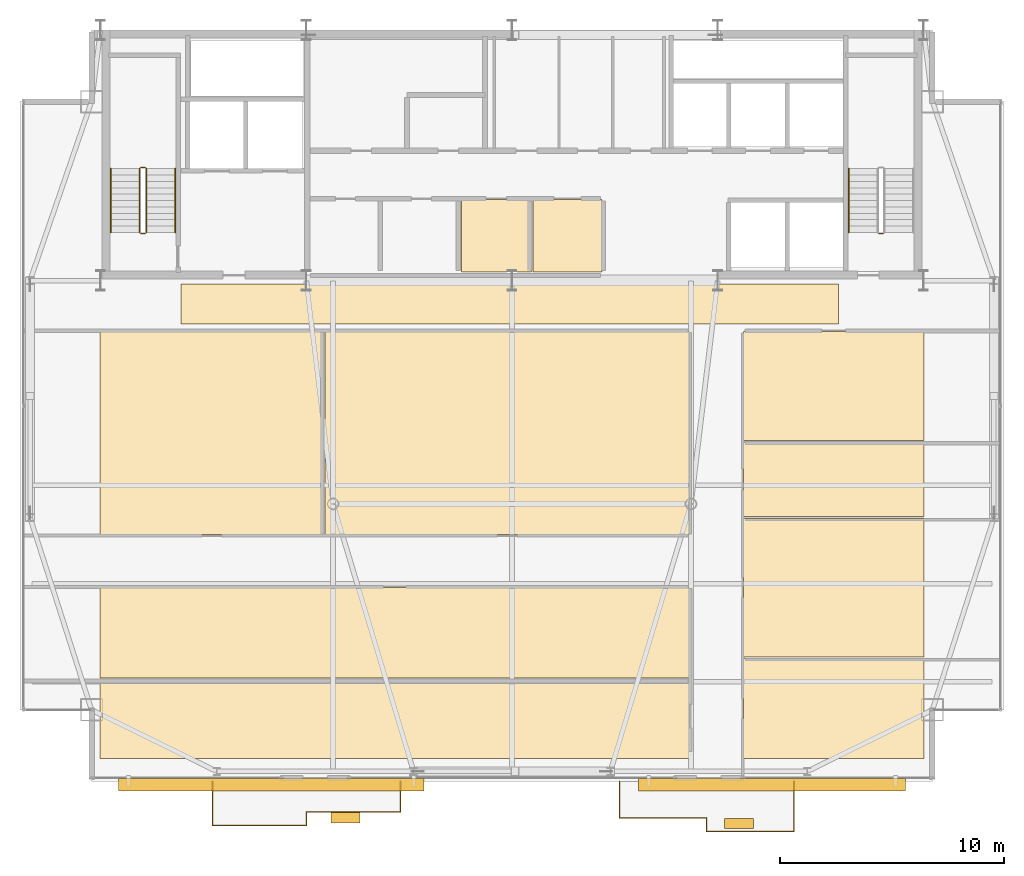
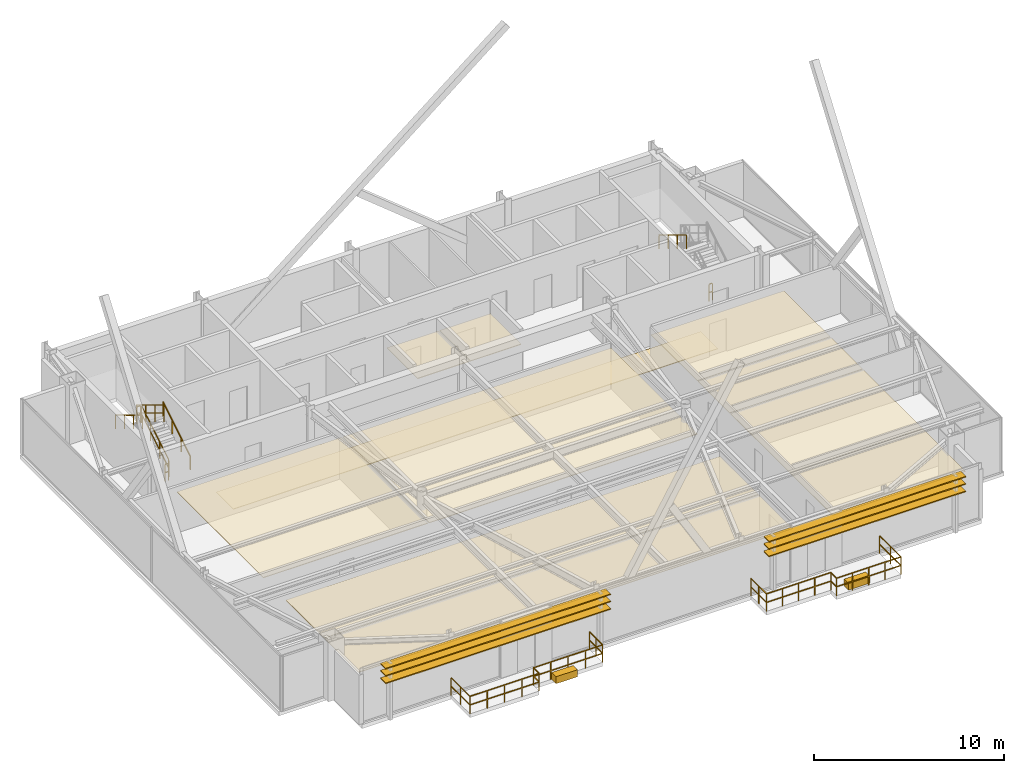
# One storey, part 24 of 25: 18 railings, 13 coverings, 6 shading devices.
"""IFC4 building model written with IfcOpenShell, lengths in metres."""

from ifc_helpers import new_model, si_unit, direction, frame, origin, origin_2d, place, context, subcontext, project, spatial, polyline, rectangle, outline, extrude, source, transform, mapped, material, layer, layer_set, type_object, type_shapes, element, save


model = new_model("IFC4")

# Units and contexts
model_context = context("Model", 3, precision=1e-05, world=origin(), true_north=direction((0.0, 1.0)))
body_context = subcontext(model_context, "Body", "Model", "MODEL_VIEW")
ifc_project = project(units=[si_unit("LENGTHUNIT", "METRE"), si_unit("AREAUNIT", "SQUARE_METRE"), si_unit("VOLUMEUNIT", "CUBIC_METRE"), si_unit("PLANEANGLEUNIT", "RADIAN"), si_unit("MASSUNIT", "GRAM", prefix="KILO")], contexts=[model_context])

# Site, building, storey
site_placement = place(None, origin())
site = spatial("IfcSite", under=ifc_project, at=site_placement, CompositionType="ELEMENT")
building_placement = place(site_placement, origin())
building = spatial("IfcBuilding", under=site, at=building_placement, Name="Varnel Quay Broadcast Tower", CompositionType="ELEMENT")
storey_placement = place(building_placement, frame((0.0, 0.0, 273.60009765625)))
storey = spatial("IfcBuildingStorey", under=building, at=storey_placement, Name="L68", CompositionType="ELEMENT", Elevation=273.60009765625)

# Coverings
ifc_material_1 = material(Name="Micro-Perforated Acoustic Ceiling Tile")
ifc_layer_1 = layer(ifc_material_1, 0.0400390625, Name="Micro-Perforated Acoustic Ceiling Tile")
ifc_layer_set_1 = layer_set([ifc_layer_1], Name="Micro-Perforated Acoustic Ceiling Tile")
covering_type_1 = type_object("IfcCoveringType", Name="Cov_AcousticCeiling", PredefinedType="CEILING", material=ifc_layer_set_1)
covering_1_placement = place(storey_placement, frame((0.0, 0.0, 2.579833984375)))
element("IfcCovering", 1, at=covering_1_placement, inside=storey, type_object=covering_type_1, Name="L68 Broadcast First-Aid & Quiet Room Acoustic Ceiling", PredefinedType="CEILING", context=body_context, shape_type="SweptSolid", body=[
    extrude(outline(polyline([(31.735107421875, 35.985107421875), (34.864990234375, 35.985107421875), (34.864990234375, 39.215087890625), (31.735107421875, 39.215087890625), (31.735107421875, 35.985107421875)])), origin(), (0.0, 0.0, 1.0), 0.0400390625),
])
covering_2_placement = place(storey_placement, frame((0.0, 0.0, 2.579833984375)))
element("IfcCovering", 2, at=covering_2_placement, inside=storey, type_object=covering_type_1, Name="L68 Zone Lighting Dimmer Room Acoustic Ceiling", PredefinedType="CEILING", context=body_context, shape_type="SweptSolid", body=[
    extrude(outline(polyline([(34.93505859375, 35.985107421875), (38.014892578125, 35.985107421875), (38.014892578125, 39.215087890625), (34.93505859375, 39.215087890625), (34.93505859375, 35.985107421875)])), origin(), (0.0, 0.0, 1.0), 0.0400390625),
])
covering_3_placement = place(storey_placement, frame((0.0, 0.0, 2.579833984375)))
element("IfcCovering", 3, at=covering_3_placement, inside=storey, type_object=covering_type_1, Name="L68 Screening Meeting Room 1 Acoustic Ceiling", PredefinedType="CEILING", context=body_context, shape_type="SweptSolid", body=[
    extrude(outline(polyline([(15.5849609375, 14.22509765625), (41.93505859375, 14.22509765625), (41.93505859375, 17.764892578125), (15.5849609375, 17.764892578125), (15.5849609375, 14.22509765625)])), origin(), (0.0, 0.0, 1.0), 0.0400390625),
])
covering_4_placement = place(storey_placement, frame((0.0, 0.0, 2.579833984375)))
element("IfcCovering", 4, at=covering_4_placement, inside=storey, type_object=covering_type_1, Name="L68 Producer Lounge 2 Acoustic Ceiling", PredefinedType="CEILING", context=body_context, shape_type="SweptSolid", body=[
    extrude(outline(polyline([(15.5849609375, 17.8349609375), (41.93505859375, 17.8349609375), (41.93505859375, 21.864990234375), (15.5849609375, 21.864990234375), (15.5849609375, 17.8349609375)])), origin(), (0.0, 0.0, 1.0), 0.0400390625),
])
covering_5_placement = place(storey_placement, frame((0.0, 0.0, 2.579833984375)))
element("IfcCovering", 5, at=covering_5_placement, inside=storey, type_object=covering_type_1, Name="L68 Tea Kitchen 3 Acoustic Ceiling", PredefinedType="CEILING", context=body_context, shape_type="SweptSolid", body=[
    extrude(outline(polyline([(15.5849609375, 24.235107421875), (25.574951171875, 24.235107421875), (25.574951171875, 33.31494140625), (15.5849609375, 33.31494140625), (15.5849609375, 24.235107421875)])), origin(), (0.0, 0.0, 1.0), 0.0400390625),
])
covering_6_placement = place(storey_placement, frame((0.0, 0.0, 2.579833984375)))
element("IfcCovering", 6, at=covering_6_placement, inside=storey, type_object=covering_type_1, Name="L68 Media Tape Archive Store 4 Acoustic Ceiling", PredefinedType="CEILING", context=body_context, shape_type="SweptSolid", body=[
    extrude(outline(polyline([(25.64501953125, 24.235107421875), (41.93505859375, 24.235107421875), (41.93505859375, 33.31494140625), (25.64501953125, 33.31494140625), (25.64501953125, 24.235107421875)])), origin(), (0.0, 0.0, 1.0), 0.0400390625),
])
covering_7_placement = place(storey_placement, frame((0.0, 0.0, 2.579833984375)))
element("IfcCovering", 7, at=covering_7_placement, inside=storey, type_object=covering_type_1, Name="L68 Lens & Rigging Store 5 Acoustic Ceiling", PredefinedType="CEILING", context=body_context, shape_type="SweptSolid", body=[
    extrude(outline(polyline([(44.35498046875, 14.22509765625), (52.4150390625, 14.22509765625), (52.4150390625, 18.705078125), (44.35498046875, 18.705078125), (44.35498046875, 14.22509765625)])), origin(), (0.0, 0.0, 1.0), 0.0400390625),
])
covering_8_placement = place(storey_placement, frame((0.0, 0.0, 2.579833984375)))
element("IfcCovering", 8, at=covering_8_placement, inside=storey, type_object=covering_type_1, Name="L68 Ingest Vault Store 6 Acoustic Ceiling", PredefinedType="CEILING", context=body_context, shape_type="SweptSolid", body=[
    extrude(outline(polyline([(44.35498046875, 18.77490234375), (52.4150390625, 18.77490234375), (52.4150390625, 24.97509765625), (44.35498046875, 24.97509765625), (44.35498046875, 18.77490234375)])), origin(), (0.0, 0.0, 1.0), 0.0400390625),
])
covering_9_placement = place(storey_placement, frame((0.0, 0.0, 2.579833984375)))
element("IfcCovering", 9, at=covering_9_placement, inside=storey, type_object=covering_type_1, Name="L68 Color Timing Suite 7 Acoustic Ceiling", PredefinedType="CEILING", context=body_context, shape_type="SweptSolid", body=[
    extrude(outline(polyline([(44.35498046875, 25.044921875), (52.4150390625, 25.044921875), (52.4150390625, 28.385009765625), (44.35498046875, 28.385009765625), (44.35498046875, 25.044921875)])), origin(), (0.0, 0.0, 1.0), 0.0400390625),
])
covering_10_placement = place(storey_placement, frame((0.0, 0.0, 2.579833984375)))
element("IfcCovering", 10, at=covering_10_placement, inside=storey, type_object=covering_type_1, Name="L68 Screening Meeting Room 8 Acoustic Ceiling", PredefinedType="CEILING", context=body_context, shape_type="SweptSolid", body=[
    extrude(outline(polyline([(44.35498046875, 28.455078125), (52.4150390625, 28.455078125), (52.4150390625, 33.31494140625), (44.35498046875, 33.31494140625), (44.35498046875, 28.455078125)])), origin(), (0.0, 0.0, 1.0), 0.0400390625),
])
ifc_material_2 = material(Name="Polished Terrazzo & Broadcast Raised Flooring")
ifc_layer_2 = layer(ifc_material_2, 0.0400390625, Name="Polished Terrazzo & Broadcast Raised Flooring")
ifc_layer_set_2 = layer_set([ifc_layer_2], Name="Polished Terrazzo & Broadcast Raised Flooring")
covering_type_2 = type_object("IfcCoveringType", Name="Cov_TerrazzoFloor", PredefinedType="FLOORING", material=ifc_layer_set_2)
covering_11_placement = place(storey_placement, origin())
element("IfcCovering", 11, at=covering_11_placement, inside=storey, type_object=covering_type_2, Name="L68 Corridor Terrazzo Flooring", PredefinedType="FLOORING", context=body_context, shape_type="SweptSolid", body=[
    extrude(outline(polyline([(19.199951171875, 33.64990234375), (48.60009765625, 33.64990234375), (48.60009765625, 35.449951171875), (19.199951171875, 35.449951171875), (19.199951171875, 33.64990234375)])), origin(), (0.0, 0.0, 1.0), 0.039794921875),
])

# Railings
ifc_material_3 = material(Name="Anodised Bronze Aluminium 6063-T6", Category="aluminium")
railing_type_1 = type_object("IfcRailingType", Name="Rail_Balustrade1150", PredefinedType="BALUSTRADE", material=ifc_material_3)
railing_1_placement = place(storey_placement, frame((20.610107421875, 11.22900390625, 0.0)))
element("IfcRailing", 12, at=railing_1_placement, inside=storey, type_object=railing_type_1, Name="L68 Terrace 1 Guard 1", PredefinedType="BALUSTRADE", context=body_context, shape_type="SweptSolid", body=[
    extrude(rectangle(XDim=0.048095703125, YDim=0.048095703125, at=origin_2d()), frame((0.0, 0.0, 1.1259765625), z_axis=(1.0, 0.0, 0.0), x_axis=(0.0, 1.0, 0.0)), (0.0, 0.0, 1.0), 4.199951171875),
    extrude(rectangle(XDim=0.048095703125, YDim=0.048095703125, at=origin_2d()), frame((0.0, 0.0, 0.574951171875), z_axis=(1.0, 0.0, 0.0), x_axis=(0.0, 1.0, 0.0)), (0.0, 0.0, 1.0), 4.199951171875),
    extrude(rectangle(XDim=0.0419921875, YDim=0.0419921875, at=origin_2d()), origin(), (0.0, 0.0, 1.0), 1.101806640625),
    extrude(rectangle(XDim=0.0419921875, YDim=0.0419921875, at=origin_2d()), frame((1.050048828125, 0.0, 0.0)), (0.0, 0.0, 1.0), 1.101806640625),
    extrude(rectangle(XDim=0.0419921875, YDim=0.0419921875, at=origin_2d()), frame((2.10009765625, 0.0, 0.0)), (0.0, 0.0, 1.0), 1.101806640625),
    extrude(rectangle(XDim=0.0419921875, YDim=0.0419921875, at=origin_2d()), frame((3.14990234375, 0.0, 0.0)), (0.0, 0.0, 1.0), 1.101806640625),
    extrude(rectangle(XDim=0.0419921875, YDim=0.0419921875, at=origin_2d()), frame((4.199951171875, 0.0, 0.0)), (0.0, 0.0, 1.0), 1.101806640625),
])
railing_2_placement = place(storey_placement, frame((24.81005859375, 11.22900390625, 0.0)))
element("IfcRailing", 13, at=railing_2_placement, inside=storey, type_object=railing_type_1, Name="L68 Terrace 1 Guard 2", PredefinedType="BALUSTRADE", context=body_context, shape_type="SweptSolid", body=[
    extrude(rectangle(XDim=0.048095703125, YDim=0.048095703125, at=origin_2d()), frame((0.0, 0.0, 1.1259765625), z_axis=(0.0, 1.0, 0.0), x_axis=(-1.0, 0.0, 0.0)), (0.0, 0.0, 1.0), 0.60009765625),
    extrude(rectangle(XDim=0.048095703125, YDim=0.048095703125, at=origin_2d()), frame((0.0, 0.0, 0.574951171875), z_axis=(0.0, 1.0, 0.0), x_axis=(-1.0, 0.0, 0.0)), (0.0, 0.0, 1.0), 0.60009765625),
    extrude(rectangle(XDim=0.0419921875, YDim=0.0419921875, at=origin_2d()), origin(), (0.0, 0.0, 1.0), 1.101806640625),
    extrude(rectangle(XDim=0.0419921875, YDim=0.0419921875, at=origin_2d()), frame((0.0, 0.60009765625, 0.0)), (0.0, 0.0, 1.0), 1.101806640625),
])
railing_3_placement = place(storey_placement, frame((24.81005859375, 11.8291015625, 0.0)))
element("IfcRailing", 14, at=railing_3_placement, inside=storey, type_object=railing_type_1, Name="L68 Terrace 1 Guard 3", PredefinedType="BALUSTRADE", context=body_context, shape_type="SweptSolid", body=[
    extrude(rectangle(XDim=0.048095703125, YDim=0.048095703125, at=origin_2d()), frame((0.0, 0.0, 1.1259765625), z_axis=(1.0, 0.0, 0.0), x_axis=(0.0, 1.0, 0.0)), (0.0, 0.0, 1.0), 4.199951171875),
    extrude(rectangle(XDim=0.048095703125, YDim=0.048095703125, at=origin_2d()), frame((0.0, 0.0, 0.574951171875), z_axis=(1.0, 0.0, 0.0), x_axis=(0.0, 1.0, 0.0)), (0.0, 0.0, 1.0), 4.199951171875),
    extrude(rectangle(XDim=0.0419921875, YDim=0.0419921875, at=origin_2d()), origin(), (0.0, 0.0, 1.0), 1.101806640625),
    extrude(rectangle(XDim=0.0419921875, YDim=0.0419921875, at=origin_2d()), frame((1.050048828125, 0.0, 0.0)), (0.0, 0.0, 1.0), 1.101806640625),
    extrude(rectangle(XDim=0.0419921875, YDim=0.0419921875, at=origin_2d()), frame((2.10009765625, 0.0, 0.0)), (0.0, 0.0, 1.0), 1.101806640625),
    extrude(rectangle(XDim=0.0419921875, YDim=0.0419921875, at=origin_2d()), frame((3.14990234375, 0.0, 0.0)), (0.0, 0.0, 1.0), 1.101806640625),
    extrude(rectangle(XDim=0.0419921875, YDim=0.0419921875, at=origin_2d()), frame((4.199951171875, 0.0, 0.0)), (0.0, 0.0, 1.0), 1.101806640625),
])
railing_4_placement = place(storey_placement, frame((29.010009765625, 11.8291015625, 0.0)))
element("IfcRailing", 15, at=railing_4_placement, inside=storey, type_object=railing_type_1, Name="L68 Terrace 1 Guard 4", PredefinedType="BALUSTRADE", context=body_context, shape_type="SweptSolid", body=[
    extrude(rectangle(XDim=0.048095703125, YDim=0.048095703125, at=origin_2d()), frame((0.0, 0.0, 1.1259765625), z_axis=(0.0, 1.0, 0.0), x_axis=(-1.0, 0.0, 0.0)), (0.0, 0.0, 1.0), 1.370849609375),
    extrude(rectangle(XDim=0.048095703125, YDim=0.048095703125, at=origin_2d()), frame((0.0, 0.0, 0.574951171875), z_axis=(0.0, 1.0, 0.0), x_axis=(-1.0, 0.0, 0.0)), (0.0, 0.0, 1.0), 1.370849609375),
    extrude(rectangle(XDim=0.0419921875, YDim=0.0419921875, at=origin_2d()), origin(), (0.0, 0.0, 1.0), 1.101806640625),
    extrude(rectangle(XDim=0.0419921875, YDim=0.0419921875, at=origin_2d()), frame((0.0, 0.685546875, 0.0)), (0.0, 0.0, 1.0), 1.101806640625),
    extrude(rectangle(XDim=0.0419921875, YDim=0.0419921875, at=origin_2d()), frame((0.0, 1.370849609375, 0.0)), (0.0, 0.0, 1.0), 1.101806640625),
])
railing_5_placement = place(storey_placement, frame((20.610107421875, 13.199951171875, 0.0)))
element("IfcRailing", 16, at=railing_5_placement, inside=storey, type_object=railing_type_1, Name="L68 Terrace 1 Guard 6", PredefinedType="BALUSTRADE", context=body_context, shape_type="SweptSolid", body=[
    extrude(rectangle(XDim=0.048095703125, YDim=0.048095703125, at=origin_2d()), frame((0.0, 0.0, 1.1259765625), z_axis=(0.0, -1.0, 0.0), x_axis=(1.0, 0.0, 0.0)), (0.0, 0.0, 1.0), 1.970947265625),
    extrude(rectangle(XDim=0.048095703125, YDim=0.048095703125, at=origin_2d()), frame((0.0, 0.0, 0.574951171875), z_axis=(0.0, -1.0, 0.0), x_axis=(1.0, 0.0, 0.0)), (0.0, 0.0, 1.0), 1.970947265625),
    extrude(rectangle(XDim=0.0419921875, YDim=0.0419921875, at=origin_2d()), origin(), (0.0, 0.0, 1.0), 1.101806640625),
    extrude(rectangle(XDim=0.0419921875, YDim=0.0419921875, at=origin_2d()), frame((0.0, -0.9853515625, 0.0)), (0.0, 0.0, 1.0), 1.101806640625),
    extrude(rectangle(XDim=0.0419921875, YDim=0.0419921875, at=origin_2d()), frame((0.0, -1.970947265625, 0.0)), (0.0, 0.0, 1.0), 1.101806640625),
])
railing_6_placement = place(storey_placement, frame((38.800048828125, 11.571044921875, 0.0)))
element("IfcRailing", 17, at=railing_6_placement, inside=storey, type_object=railing_type_1, Name="L68 Terrace 2 Guard 1", PredefinedType="BALUSTRADE", context=body_context, shape_type="SweptSolid", body=[
    extrude(rectangle(XDim=0.048095703125, YDim=0.048095703125, at=origin_2d()), frame((0.0, 0.0, 1.1259765625), z_axis=(1.0, 0.0, 0.0), x_axis=(0.0, 1.0, 0.0)), (0.0, 0.0, 1.0), 3.905029296875),
    extrude(rectangle(XDim=0.048095703125, YDim=0.048095703125, at=origin_2d()), frame((0.0, 0.0, 0.574951171875), z_axis=(1.0, 0.0, 0.0), x_axis=(0.0, 1.0, 0.0)), (0.0, 0.0, 1.0), 3.905029296875),
    extrude(rectangle(XDim=0.0419921875, YDim=0.0419921875, at=origin_2d()), origin(), (0.0, 0.0, 1.0), 1.101806640625),
    extrude(rectangle(XDim=0.0419921875, YDim=0.0419921875, at=origin_2d()), frame((0.976318359375, 0.0, 0.0)), (0.0, 0.0, 1.0), 1.101806640625),
    extrude(rectangle(XDim=0.0419921875, YDim=0.0419921875, at=origin_2d()), frame((1.95263671875, 0.0, 0.0)), (0.0, 0.0, 1.0), 1.101806640625),
    extrude(rectangle(XDim=0.0419921875, YDim=0.0419921875, at=origin_2d()), frame((2.9287109375, 0.0, 0.0)), (0.0, 0.0, 1.0), 1.101806640625),
    extrude(rectangle(XDim=0.0419921875, YDim=0.0419921875, at=origin_2d()), frame((3.905029296875, 0.0, 0.0)), (0.0, 0.0, 1.0), 1.101806640625),
])
railing_7_placement = place(storey_placement, frame((42.705078125, 11.571044921875, 0.0)))
element("IfcRailing", 18, at=railing_7_placement, inside=storey, type_object=railing_type_1, Name="L68 Terrace 2 Guard 2", PredefinedType="BALUSTRADE", context=body_context, shape_type="SweptSolid", body=[
    extrude(rectangle(XDim=0.048095703125, YDim=0.048095703125, at=origin_2d()), frame((0.0, 0.0, 1.1259765625), z_axis=(0.0, -1.0, 0.0), x_axis=(1.0, 0.0, 0.0)), (0.0, 0.0, 1.0), 0.60009765625),
    extrude(rectangle(XDim=0.048095703125, YDim=0.048095703125, at=origin_2d()), frame((0.0, 0.0, 0.574951171875), z_axis=(0.0, -1.0, 0.0), x_axis=(1.0, 0.0, 0.0)), (0.0, 0.0, 1.0), 0.60009765625),
    extrude(rectangle(XDim=0.0419921875, YDim=0.0419921875, at=origin_2d()), origin(), (0.0, 0.0, 1.0), 1.101806640625),
    extrude(rectangle(XDim=0.0419921875, YDim=0.0419921875, at=origin_2d()), frame((0.0, -0.60009765625, 0.0)), (0.0, 0.0, 1.0), 1.101806640625),
])
railing_8_placement = place(storey_placement, frame((42.705078125, 10.970947265625, 0.0)))
element("IfcRailing", 19, at=railing_8_placement, inside=storey, type_object=railing_type_1, Name="L68 Terrace 2 Guard 3", PredefinedType="BALUSTRADE", context=body_context, shape_type="SweptSolid", body=[
    extrude(rectangle(XDim=0.048095703125, YDim=0.048095703125, at=origin_2d()), frame((0.0, 0.0, 1.1259765625), z_axis=(1.0, 0.0, 0.0), x_axis=(0.0, 1.0, 0.0)), (0.0, 0.0, 1.0), 3.905029296875),
    extrude(rectangle(XDim=0.048095703125, YDim=0.048095703125, at=origin_2d()), frame((0.0, 0.0, 0.574951171875), z_axis=(1.0, 0.0, 0.0), x_axis=(0.0, 1.0, 0.0)), (0.0, 0.0, 1.0), 3.905029296875),
    extrude(rectangle(XDim=0.0419921875, YDim=0.0419921875, at=origin_2d()), origin(), (0.0, 0.0, 1.0), 1.101806640625),
    extrude(rectangle(XDim=0.0419921875, YDim=0.0419921875, at=origin_2d()), frame((0.976318359375, 0.0, 0.0)), (0.0, 0.0, 1.0), 1.101806640625),
    extrude(rectangle(XDim=0.0419921875, YDim=0.0419921875, at=origin_2d()), frame((1.95263671875, 0.0, 0.0)), (0.0, 0.0, 1.0), 1.101806640625),
    extrude(rectangle(XDim=0.0419921875, YDim=0.0419921875, at=origin_2d()), frame((2.9287109375, 0.0, 0.0)), (0.0, 0.0, 1.0), 1.101806640625),
    extrude(rectangle(XDim=0.0419921875, YDim=0.0419921875, at=origin_2d()), frame((3.905029296875, 0.0, 0.0)), (0.0, 0.0, 1.0), 1.101806640625),
])
railing_9_placement = place(storey_placement, frame((46.610107421875, 10.970947265625, 0.0)))
element("IfcRailing", 20, at=railing_9_placement, inside=storey, type_object=railing_type_1, Name="L68 Terrace 2 Guard 4", PredefinedType="BALUSTRADE", context=body_context, shape_type="SweptSolid", body=[
    extrude(rectangle(XDim=0.048095703125, YDim=0.048095703125, at=origin_2d()), frame((0.0, 0.0, 1.1259765625), z_axis=(0.0, 1.0, 0.0), x_axis=(-1.0, 0.0, 0.0)), (0.0, 0.0, 1.0), 2.22900390625),
    extrude(rectangle(XDim=0.048095703125, YDim=0.048095703125, at=origin_2d()), frame((0.0, 0.0, 0.574951171875), z_axis=(0.0, 1.0, 0.0), x_axis=(-1.0, 0.0, 0.0)), (0.0, 0.0, 1.0), 2.22900390625),
    extrude(rectangle(XDim=0.0419921875, YDim=0.0419921875, at=origin_2d()), origin(), (0.0, 0.0, 1.0), 1.101806640625),
    extrude(rectangle(XDim=0.0419921875, YDim=0.0419921875, at=origin_2d()), frame((0.0, 1.114501953125, 0.0)), (0.0, 0.0, 1.0), 1.101806640625),
    extrude(rectangle(XDim=0.0419921875, YDim=0.0419921875, at=origin_2d()), frame((0.0, 2.22900390625, 0.0)), (0.0, 0.0, 1.0), 1.101806640625),
])
railing_10_placement = place(storey_placement, frame((38.800048828125, 13.199951171875, 0.0)))
element("IfcRailing", 21, at=railing_10_placement, inside=storey, type_object=railing_type_1, Name="L68 Terrace 2 Guard 6", PredefinedType="BALUSTRADE", context=body_context, shape_type="SweptSolid", body=[
    extrude(rectangle(XDim=0.048095703125, YDim=0.048095703125, at=origin_2d()), frame((0.0, 0.0, 1.1259765625), z_axis=(0.0, -1.0, 0.0), x_axis=(1.0, 0.0, 0.0)), (0.0, 0.0, 1.0), 1.62890625),
    extrude(rectangle(XDim=0.048095703125, YDim=0.048095703125, at=origin_2d()), frame((0.0, 0.0, 0.574951171875), z_axis=(0.0, -1.0, 0.0), x_axis=(1.0, 0.0, 0.0)), (0.0, 0.0, 1.0), 1.62890625),
    extrude(rectangle(XDim=0.0419921875, YDim=0.0419921875, at=origin_2d()), origin(), (0.0, 0.0, 1.0), 1.101806640625),
    extrude(rectangle(XDim=0.0419921875, YDim=0.0419921875, at=origin_2d()), frame((0.0, -0.814453125, 0.0)), (0.0, 0.0, 1.0), 1.101806640625),
    extrude(rectangle(XDim=0.0419921875, YDim=0.0419921875, at=origin_2d()), frame((0.0, -1.62890625, 0.0)), (0.0, 0.0, 1.0), 1.101806640625),
])
ifc_material_4 = material(Name="Painted Steel Guard and Handrail CSA G40.21 350W", Category="steel")
railing_type_2 = type_object("IfcRailingType", Name="Rail_StairGuard1100", PredefinedType="GUARDRAIL", material=ifc_material_4)
railing_11_placement = place(storey_placement, frame((17.64990234375, 37.75, 0.172607421875)))
element("IfcRailing", 22, at=railing_11_placement, inside=storey, type_object=railing_type_2, Name="L68 ST-01 stair guard 1", PredefinedType="GUARDRAIL", context=body_context, shape_type="SweptSolid", body=[
    extrude(rectangle(XDim=0.048095703125, YDim=0.048095703125, at=origin_2d()), frame((0.0, 0.0, 1.076171875), z_axis=(0.0, 0.855202751398, 0.518293598264), x_axis=(-1.0, 0.0, 0.0)), (0.0, 0.0, 1.0), 3.332763671875),
    extrude(rectangle(XDim=0.048095703125, YDim=0.048095703125, at=origin_2d()), frame((0.0, 0.0, 0.550048828125), z_axis=(0.0, 0.855202751398, 0.518293598264), x_axis=(-1.0, 0.0, 0.0)), (0.0, 0.0, 1.0), 3.332763671875),
    extrude(rectangle(XDim=0.0419921875, YDim=0.0419921875, at=origin_2d()), origin(), (0.0, 0.0, 1.0), 1.052001953125),
    extrude(rectangle(XDim=0.0419921875, YDim=0.0419921875, at=origin_2d()), frame((0.0, 0.949951171875, 0.57568359375)), (0.0, 0.0, 1.0), 1.052001953125),
    extrude(rectangle(XDim=0.0419921875, YDim=0.0419921875, at=origin_2d()), frame((0.0, 1.900146484375, 1.151611328125)), (0.0, 0.0, 1.0), 1.052001953125),
    extrude(rectangle(XDim=0.0419921875, YDim=0.0419921875, at=origin_2d()), frame((0.0, 2.85009765625, 1.727294921875)), (0.0, 0.0, 1.0), 1.052001953125),
])
railing_12_placement = place(storey_placement, frame((17.60009765625, 40.64990234375, 1.89990234375)))
element("IfcRailing", 23, at=railing_12_placement, inside=storey, type_object=railing_type_2, Name="L68 ST-01 stair guard 2", PredefinedType="GUARDRAIL", context=body_context, shape_type="SweptSolid", body=[
    extrude(rectangle(XDim=0.048095703125, YDim=0.048095703125, at=origin_2d()), frame((0.0, 0.0, 1.076171875), z_axis=(-1.0, 0.0, 0.0), x_axis=(0.0, -1.0, 0.0)), (0.0, 0.0, 1.0), 0.2001953125),
    extrude(rectangle(XDim=0.048095703125, YDim=0.048095703125, at=origin_2d()), frame((0.0, 0.0, 0.550048828125), z_axis=(-1.0, 0.0, 0.0), x_axis=(0.0, -1.0, 0.0)), (0.0, 0.0, 1.0), 0.2001953125),
    extrude(rectangle(XDim=0.0419921875, YDim=0.0419921875, at=origin_2d()), origin(), (0.0, 0.0, 1.0), 1.052001953125),
    extrude(rectangle(XDim=0.0419921875, YDim=0.0419921875, at=origin_2d()), frame((-0.2001953125, 0.0, 0.0)), (0.0, 0.0, 1.0), 1.052001953125),
])
railing_13_placement = place(storey_placement, frame((17.35009765625, 40.60009765625, 2.072509765625)))
element("IfcRailing", 24, at=railing_13_placement, inside=storey, type_object=railing_type_2, Name="L68 ST-01 stair guard 3", PredefinedType="GUARDRAIL", context=body_context, shape_type="SweptSolid", body=[
    extrude(rectangle(XDim=0.048095703125, YDim=0.048095703125, at=origin_2d()), frame((0.0, 0.0, 1.076171875), z_axis=(0.0, -0.855202751398, 0.518293598264), x_axis=(1.0, 0.0, 0.0)), (0.0, 0.0, 1.0), 3.332763671875),
    extrude(rectangle(XDim=0.048095703125, YDim=0.048095703125, at=origin_2d()), frame((0.0, 0.0, 0.550048828125), z_axis=(0.0, -0.855202751398, 0.518293598264), x_axis=(1.0, 0.0, 0.0)), (0.0, 0.0, 1.0), 3.332763671875),
    extrude(rectangle(XDim=0.0419921875, YDim=0.0419921875, at=origin_2d()), origin(), (0.0, 0.0, 1.0), 1.052001953125),
    extrude(rectangle(XDim=0.0419921875, YDim=0.0419921875, at=origin_2d()), frame((0.0, -0.949951171875, 0.57568359375)), (0.0, 0.0, 1.0), 1.052001953125),
    extrude(rectangle(XDim=0.0419921875, YDim=0.0419921875, at=origin_2d()), frame((0.0, -1.900146484375, 1.151611328125)), (0.0, 0.0, 1.0), 1.052001953125),
    extrude(rectangle(XDim=0.0419921875, YDim=0.0419921875, at=origin_2d()), frame((0.0, -2.85009765625, 1.727294921875)), (0.0, 0.0, 1.0), 1.052001953125),
])
for number, where, name in (
    (25, (17.60009765625, 37.699951171875, 0.0), "L68 ST-01 stair guard 4"),
    (26, (50.60009765625, 37.699951171875, 0.0), "L68 ST-02 stair guard 4"),
):
    element("IfcRailing", number, at=place(storey_placement, frame(where)), inside=storey, type_object=railing_type_2, Name=name, PredefinedType="GUARDRAIL", context=body_context, shape_type="SweptSolid", body=[
        extrude(rectangle(XDim=0.048095703125, YDim=0.048095703125, at=origin_2d()), frame((0.0, 0.0, 1.076171875), z_axis=(-1.0, 0.0, 0.0), x_axis=(0.0, -1.0, 0.0)), (0.0, 0.0, 1.0), 0.2001953125),
        extrude(rectangle(XDim=0.048095703125, YDim=0.048095703125, at=origin_2d()), frame((0.0, 0.0, 0.550048828125), z_axis=(-1.0, 0.0, 0.0), x_axis=(0.0, -1.0, 0.0)), (0.0, 0.0, 1.0), 0.2001953125),
        extrude(rectangle(XDim=0.0419921875, YDim=0.0419921875, at=origin_2d()), origin(), (0.0, 0.0, 1.0), 1.052001953125),
        extrude(rectangle(XDim=0.0419921875, YDim=0.0419921875, at=origin_2d()), frame((-0.2001953125, 0.0, 0.0)), (0.0, 0.0, 1.0), 1.052001953125),
    ])
railing_type_3 = type_object("IfcRailingType", Name="Rail_StairHandrail900", PredefinedType="HANDRAIL", material=ifc_material_4)
railing_14_placement = place(storey_placement, frame((18.949951171875, 37.75, 0.172607421875)))
element("IfcRailing", 27, at=railing_14_placement, inside=storey, type_object=railing_type_3, Name="L68 ST-01 stair handrail 1", PredefinedType="HANDRAIL", context=body_context, shape_type="SweptSolid", body=[
    extrude(rectangle(XDim=0.048095703125, YDim=0.048095703125, at=origin_2d()), frame((0.0, 0.0, 0.8759765625), z_axis=(0.0, 0.855202751398, 0.518293598264), x_axis=(-1.0, 0.0, 0.0)), (0.0, 0.0, 1.0), 3.332763671875),
    extrude(rectangle(XDim=0.0419921875, YDim=0.0419921875, at=origin_2d()), origin(), (0.0, 0.0, 1.0), 0.851806640625),
    extrude(rectangle(XDim=0.0419921875, YDim=0.0419921875, at=origin_2d()), frame((0.0, 0.949951171875, 0.57568359375)), (0.0, 0.0, 1.0), 0.851806640625),
    extrude(rectangle(XDim=0.0419921875, YDim=0.0419921875, at=origin_2d()), frame((0.0, 1.900146484375, 1.151611328125)), (0.0, 0.0, 1.0), 0.851806640625),
    extrude(rectangle(XDim=0.0419921875, YDim=0.0419921875, at=origin_2d()), frame((0.0, 2.85009765625, 1.727294921875)), (0.0, 0.0, 1.0), 0.851806640625),
])
for number, where, name in (
    (28, (16.050048828125, 40.60009765625, 2.072509765625), "L68 ST-01 stair handrail 2"),
    (29, (49.050048828125, 40.60009765625, 2.072509765625), "L68 ST-02 stair handrail 2"),
):
    element("IfcRailing", number, at=place(storey_placement, frame(where)), inside=storey, type_object=railing_type_3, Name=name, PredefinedType="HANDRAIL", context=body_context, shape_type="SweptSolid", body=[
        extrude(rectangle(XDim=0.048095703125, YDim=0.048095703125, at=origin_2d()), frame((0.0, 0.0, 0.8759765625), z_axis=(0.0, -0.855202751398, 0.518293598264), x_axis=(1.0, 0.0, 0.0)), (0.0, 0.0, 1.0), 3.332763671875),
        extrude(rectangle(XDim=0.0419921875, YDim=0.0419921875, at=origin_2d()), origin(), (0.0, 0.0, 1.0), 0.851806640625),
        extrude(rectangle(XDim=0.0419921875, YDim=0.0419921875, at=origin_2d()), frame((0.0, -0.949951171875, 0.57568359375)), (0.0, 0.0, 1.0), 0.851806640625),
        extrude(rectangle(XDim=0.0419921875, YDim=0.0419921875, at=origin_2d()), frame((0.0, -1.900146484375, 1.151611328125)), (0.0, 0.0, 1.0), 0.851806640625),
        extrude(rectangle(XDim=0.0419921875, YDim=0.0419921875, at=origin_2d()), frame((0.0, -2.85009765625, 1.727294921875)), (0.0, 0.0, 1.0), 0.851806640625),
    ])

# Coverings
ifc_material_5 = material(Name="Bronze-Terracotta Extruded Ceramic Blade", Category="masonry")
ifc_layer_3 = layer(ifc_material_5, 0.449951171875, Name="Bronze-Terracotta Extruded Ceramic Blade")
ifc_layer_set_3 = layer_set([ifc_layer_3], Name="Bronze-Terracotta Extruded Ceramic Blade")
covering_type_3 = type_object("IfcCoveringType", Name="Cov_BronzePlanter", PredefinedType="CLADDING", material=ifc_layer_set_3)
shared_shape_1 = source(origin(), body_context, "Body", "SweptSolid", [
    extrude(rectangle(XDim=1.300048828125, YDim=0.449951171875, at=origin_2d()), origin(), (0.0, 0.0, 1.0), 0.449951171875),
])
type_shapes(covering_type_3, [shared_shape_1])
for number, where, z_axis, x_axis, name in (
    (30, (26.550048828125, 11.5791015625, 0.0), (0.0, 0.0, 1.0), (1.0, 0.0, 0.0), "L68 Terrace 1 Bronze Planter"),
    (31, (44.14990234375, 11.321044921875, 0.0), (0.0, 0.0, 1.0), (1.0, 0.0, 0.0), "L68 Terrace 2 Bronze Planter"),
):
    element("IfcCovering", number, at=place(storey_placement, frame(where, z_axis=z_axis, x_axis=x_axis)), inside=storey, type_object=covering_type_3, Name=name, PredefinedType="CLADDING", context=body_context, shape_type="MappedRepresentation", body=[
        mapped(shared_shape_1, transform((0.0, 0.0, 0.0), x_axis=(1.0, 0.0, 0.0), y_axis=(0.0, 1.0, 0.0), z_axis=(0.0, 0.0, 1.0), scale=1.0)),
    ])

# Shading devices
ifc_layer_4 = layer(ifc_material_5, 0.06494140625, Name="Bronze-Terracotta Extruded Ceramic Blade")
ifc_layer_set_4 = layer_set([ifc_layer_4], Name="Bronze-Terracotta Extruded Ceramic Blade")
shading_device_type = type_object("IfcShadingDeviceType", Name="Shade_LouvreBlade550", PredefinedType="JALOUSIE", material=ifc_layer_set_4)
shared_shape_2 = source(origin(), body_context, "Body", "SweptSolid", [
    extrude(rectangle(XDim=13.656005859375, YDim=0.550048828125, at=origin_2d()), origin(), (0.0, 0.0, 1.0), 0.06494140625),
])
for number, where, z_axis, x_axis, name in (
    (32, (23.22802734375, 13.06005859375, 2.447509765625), (0.0, 0.0, 1.0), (1.0, 0.0, 0.0), "L68 Lobe 1 Horizontal Louvre Blade 1"),
    (33, (23.22802734375, 13.06005859375, 2.927490234375), (0.0, 0.0, 1.0), (1.0, 0.0, 0.0), "L68 Lobe 1 Horizontal Louvre Blade 2"),
    (34, (23.22802734375, 13.06005859375, 3.387451171875), (0.0, 0.0, 1.0), (1.0, 0.0, 0.0), "L68 Lobe 1 Horizontal Louvre Blade 3"),
):
    element("IfcShadingDevice", number, at=place(storey_placement, frame(where, z_axis=z_axis, x_axis=x_axis)), inside=storey, type_object=shading_device_type, Name=name, PredefinedType="JALOUSIE", context=body_context, shape_type="MappedRepresentation", body=[
        mapped(shared_shape_2, transform((0.0, 0.0, 0.0), x_axis=(1.0, 0.0, 0.0), y_axis=(0.0, 1.0, 0.0), z_axis=(0.0, 0.0, 1.0), scale=1.0)),
    ])
shared_shape_3 = source(origin(), body_context, "Body", "SweptSolid", [
    extrude(rectangle(XDim=11.944091796875, YDim=0.550048828125, at=origin_2d()), origin(), (0.0, 0.0, 1.0), 0.06494140625),
])
type_shapes(shading_device_type, [shared_shape_2, shared_shape_3])
for number, where, z_axis, x_axis, name in (
    (35, (45.6279296875, 13.06005859375, 2.447509765625), (0.0, 0.0, 1.0), (1.0, 0.0, 0.0), "L68 Lobe 2 Horizontal Louvre Blade 1"),
    (36, (45.6279296875, 13.06005859375, 2.927490234375), (0.0, 0.0, 1.0), (1.0, 0.0, 0.0), "L68 Lobe 2 Horizontal Louvre Blade 2"),
    (37, (45.6279296875, 13.06005859375, 3.387451171875), (0.0, 0.0, 1.0), (1.0, 0.0, 0.0), "L68 Lobe 2 Horizontal Louvre Blade 3"),
):
    element("IfcShadingDevice", number, at=place(storey_placement, frame(where, z_axis=z_axis, x_axis=x_axis)), inside=storey, type_object=shading_device_type, Name=name, PredefinedType="JALOUSIE", context=body_context, shape_type="MappedRepresentation", body=[
        mapped(shared_shape_3, transform((0.0, 0.0, 0.0), x_axis=(1.0, 0.0, 0.0), y_axis=(0.0, 1.0, 0.0), z_axis=(0.0, 0.0, 1.0), scale=1.0)),
    ])

save(model, "model.ifc")
